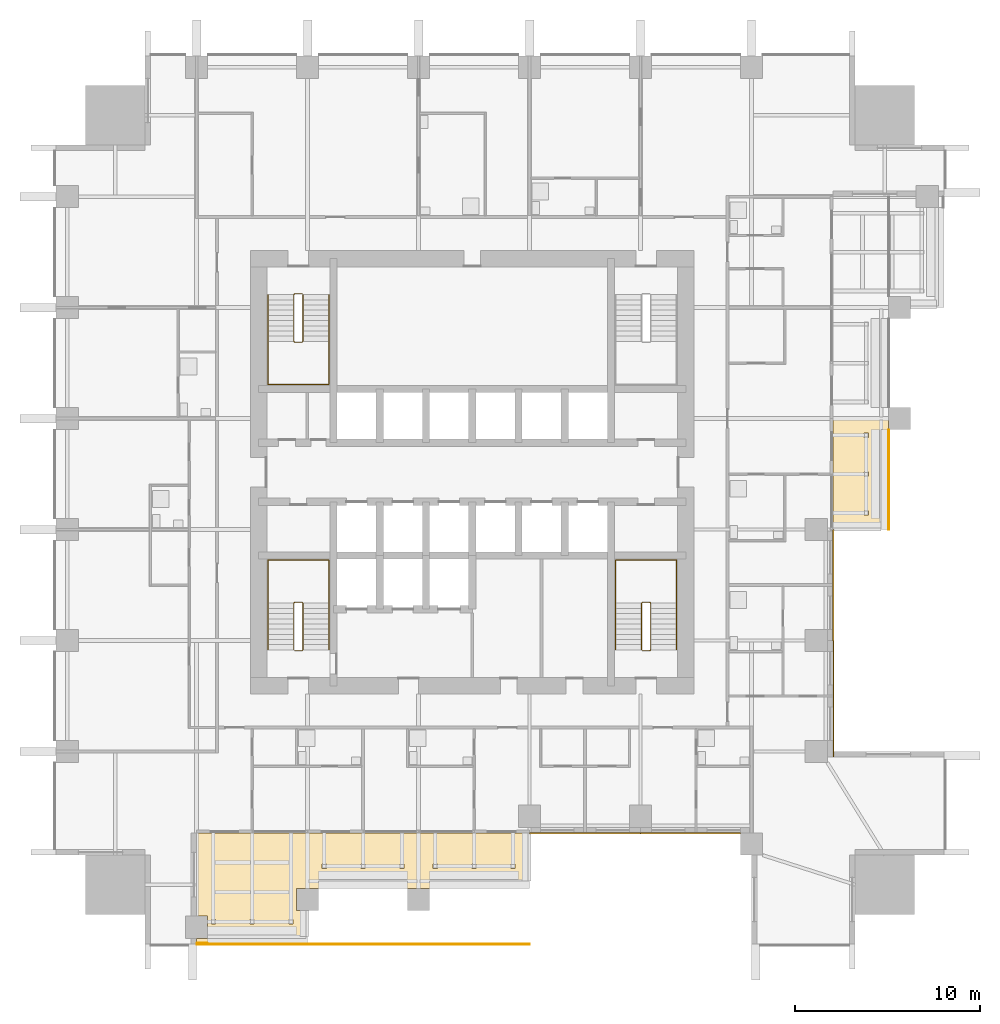
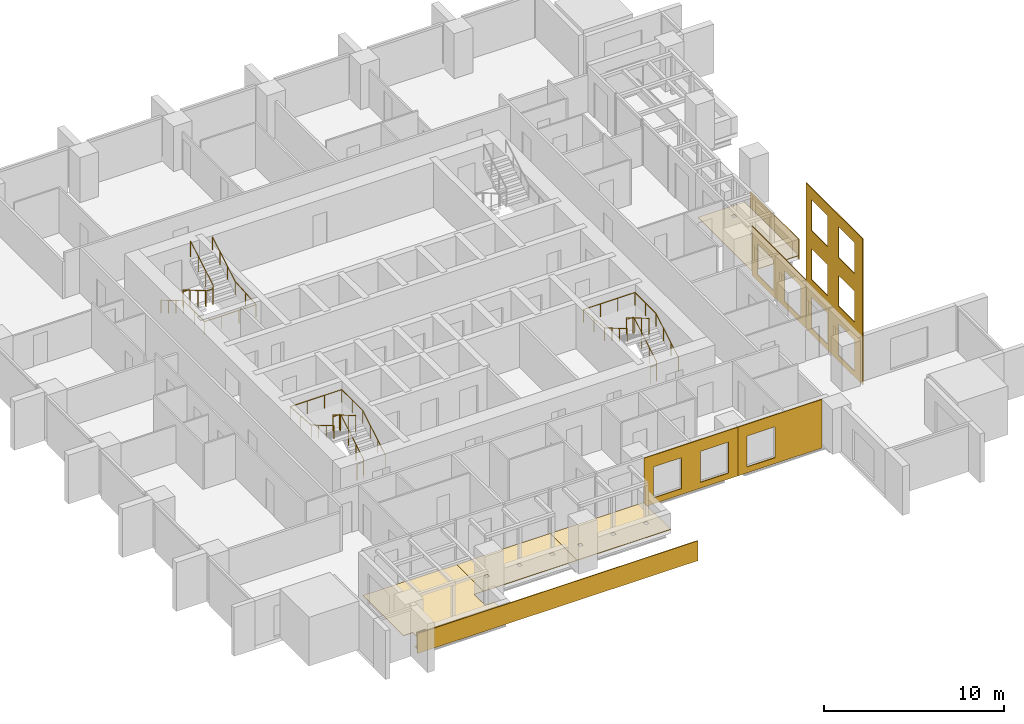
# One storey, part 13 of 15: 10 coverings, 7 railings.
"""IFC4 building model written with IfcOpenShell, lengths in metres."""

from ifc_helpers import new_model, si_unit, direction, frame, origin, origin_2d, place, context, subcontext, project, spatial, polyline, circle, outline, extrude, material, layer, layer_set, type_object, element, save


model = new_model("IFC4")

# Units and contexts
model_context = context("Model", 3, precision=1e-05, world=origin(), true_north=direction((0.0, 1.0)))
body_context = subcontext(model_context, "Body", "Model", "MODEL_VIEW")
ifc_project = project(units=[si_unit("LENGTHUNIT", "METRE"), si_unit("AREAUNIT", "SQUARE_METRE"), si_unit("VOLUMEUNIT", "CUBIC_METRE"), si_unit("PLANEANGLEUNIT", "RADIAN"), si_unit("MASSUNIT", "GRAM", prefix="KILO")], contexts=[model_context])

# Site, building, storey
site_placement = place(None, origin())
site = spatial("IfcSite", under=ifc_project, at=site_placement, CompositionType="ELEMENT")
building_placement = place(site_placement, origin())
building = spatial("IfcBuilding", under=site, at=building_placement, Name="Amberfall Residences", CompositionType="ELEMENT")
storey_placement = place(building_placement, frame((0.0, 0.0, 53.199951171875)))
storey = spatial("IfcBuildingStorey", under=building, at=storey_placement, Name="L14", CompositionType="ELEMENT", Elevation=53.199951171875)

# Coverings
ifc_material_1 = material(Name="Pale limestone cladding", Category="masonry")
ifc_layer_1 = layer(ifc_material_1, 0.050048828125)
ifc_layer_set_1 = layer_set([ifc_layer_1], Name="Limestone fascia 50")
covering_type_1 = type_object("IfcCoveringType", Name="Limestone fascia 50", PredefinedType="CLADDING", material=ifc_layer_set_1)
covering_1_placement = place(storey_placement, frame((0.0, 0.0, -0.25)))
element("IfcCovering", 1, at=covering_1_placement, inside=storey, type_object=covering_type_1, Name="Limestone terrace fascia L14 S1", PredefinedType="CLADDING", context=body_context, shape_type="SweptSolid", body=[
    extrude(outline(polyline([(59.60009765625, 20.0), (77.60009765625, 20.0), (77.60009765625, 19.949951171875), (59.60009765625, 19.949951171875), (59.60009765625, 20.0)])), origin(), (0.0, 0.0, 1.0), 1.35009765625),
])
covering_2_placement = place(storey_placement, frame((0.0, 0.0, -0.25)))
element("IfcCovering", 2, at=covering_2_placement, inside=storey, type_object=covering_type_1, Name="Limestone terrace fascia L14 E1", PredefinedType="CLADDING", context=body_context, shape_type="SweptSolid", body=[
    extrude(outline(polyline([(97.0, 42.39990234375), (97.0, 47.798095703125), (97.050048828125, 47.798095703125), (97.050048828125, 42.39990234375), (97.0, 42.39990234375)])), origin(), (0.0, 0.0, 1.0), 1.35009765625),
])
covering_3_placement = place(storey_placement, frame((94.0, 30.10009765625, 9.650146484375), z_axis=(-1.0, 0.0, 0.0), x_axis=(0.0, 1.0, 0.0)))
element("IfcCovering", 3, at=covering_3_placement, inside=storey, type_object=covering_type_1, Name="Pale limestone cladding L14-L16 E", PredefinedType="CLADDING", context=body_context, shape_type="SweptSolid", body=[
    extrude(outline(polyline([(0.0, 0.0), (6.2998046875, 0.0), (6.2998046875, 9.900146484375), (0.0, 9.900146484375), (0.0, 0.0)]), holes=[polyline([(0.89990234375, 7.400146484375), (2.699951171875, 7.400146484375), (2.699951171875, 9.5), (0.89990234375, 9.5), (0.89990234375, 7.400146484375)]), polyline([(3.89990234375, 7.400146484375), (5.699951171875, 7.400146484375), (5.699951171875, 9.5), (3.89990234375, 9.5), (3.89990234375, 7.400146484375)]), polyline([(0.89990234375, 4.10009765625), (2.699951171875, 4.10009765625), (2.699951171875, 6.2001953125), (0.89990234375, 6.2001953125), (0.89990234375, 4.10009765625)]), polyline([(3.89990234375, 4.10009765625), (5.699951171875, 4.10009765625), (5.699951171875, 6.2001953125), (3.89990234375, 6.2001953125), (3.89990234375, 4.10009765625)]), polyline([(0.89990234375, 0.800048828125), (2.699951171875, 0.800048828125), (2.699951171875, 2.900146484375), (0.89990234375, 2.900146484375), (0.89990234375, 0.800048828125)]), polyline([(3.89990234375, 0.800048828125), (5.699951171875, 0.800048828125), (5.699951171875, 2.900146484375), (3.89990234375, 2.900146484375), (3.89990234375, 0.800048828125)])]), origin(), (0.0, 0.0, -1.0), 0.050048828125),
])
covering_4_placement = place(storey_placement, frame((83.60009765625, 26.0, 3.050048828125), z_axis=(0.0, 1.0, 0.0), x_axis=(1.0, 0.0, 0.0)))
element("IfcCovering", 4, at=covering_4_placement, inside=storey, type_object=covering_type_1, Name="Pale limestone cladding L14 S", PredefinedType="CLADDING", context=body_context, shape_type="SweptSolid", body=[
    extrude(outline(polyline([(0.0, 0.0), (5.39794921875, 0.0), (5.39794921875, 3.300048828125), (0.0, 3.300048828125), (0.0, 0.0)]), holes=[polyline([(0.599853515625, 0.800048828125), (2.39990234375, 0.800048828125), (2.39990234375, 2.89990234375), (0.599853515625, 2.89990234375), (0.599853515625, 0.800048828125)])]), origin(), (0.0, 0.0, -1.0), 0.050048828125),
])
covering_5_placement = place(storey_placement, frame((77.60009765625, 26.0, 3.050048828125), z_axis=(0.0, 1.0, 0.0), x_axis=(1.0, 0.0, 0.0)))
element("IfcCovering", 5, at=covering_5_placement, inside=storey, type_object=covering_type_1, Name="Pale limestone cladding L14 S", PredefinedType="CLADDING", context=body_context, shape_type="SweptSolid", body=[
    extrude(outline(polyline([(0.0, 0.0), (6.0, 0.0), (6.0, 3.300048828125), (0.0, 3.300048828125), (0.0, 0.0)]), holes=[polyline([(0.599853515625, 0.800048828125), (2.39990234375, 0.800048828125), (2.39990234375, 2.89990234375), (0.599853515625, 2.89990234375), (0.599853515625, 0.800048828125)]), polyline([(3.599853515625, 0.800048828125), (5.39990234375, 0.800048828125), (5.39990234375, 2.89990234375), (3.599853515625, 2.89990234375), (3.599853515625, 0.800048828125)])]), origin(), (0.0, 0.0, -1.0), 0.050048828125),
])
covering_6_placement = place(storey_placement, frame((94.0, 36.39990234375, 3.050048828125), z_axis=(-1.0, 0.0, 0.0), x_axis=(0.0, 1.0, 0.0)))
element("IfcCovering", 6, at=covering_6_placement, inside=storey, type_object=covering_type_1, Name="Pale limestone cladding L14 E", PredefinedType="CLADDING", context=body_context, shape_type="SweptSolid", body=[
    extrude(outline(polyline([(0.0, 0.0), (6.0, 0.0), (6.0, 3.300048828125), (0.0, 3.300048828125), (0.0, 0.0)]), holes=[polyline([(0.60009765625, 0.800048828125), (2.400146484375, 0.800048828125), (2.400146484375, 2.89990234375), (0.60009765625, 2.89990234375), (0.60009765625, 0.800048828125)]), polyline([(3.60009765625, 0.800048828125), (5.400146484375, 0.800048828125), (5.400146484375, 2.89990234375), (3.60009765625, 2.89990234375), (3.60009765625, 0.800048828125)])]), origin(), (0.0, 0.0, -1.0), 0.050048828125),
])
ifc_material_2 = material(Name="Pale stone paving", Category="masonry")
ifc_layer_2 = layer(ifc_material_2, 0.030029296875)
ifc_layer_set_2 = layer_set([ifc_layer_2], Name="Pale stone paving 30")
covering_type_2 = type_object("IfcCoveringType", Name="Pale stone paving 30", PredefinedType="FLOORING", material=ifc_layer_set_2)
covering_7_placement = place(storey_placement, origin())
element("IfcCovering", 7, at=covering_7_placement, inside=storey, type_object=covering_type_2, Name="Pale stone paving L14 S1", PredefinedType="FLOORING", context=body_context, shape_type="SweptSolid", body=[
    extrude(outline(polyline([(65.60009765625, 20.0), (65.60009765625, 21.800048828125), (65.0, 21.800048828125), (65.0, 23.0), (65.60009765625, 23.0), (65.60009765625, 26.0), (59.60009765625, 26.0), (59.60009765625, 21.5), (60.199951171875, 21.5), (60.199951171875, 20.300048828125), (59.60009765625, 20.300048828125), (59.60009765625, 20.0), (65.60009765625, 20.0)]), holes=[polyline([(60.389892578125, 21.090087890625), (60.610107421875, 21.090087890625), (60.610107421875, 21.31005859375), (60.389892578125, 21.31005859375), (60.389892578125, 21.090087890625)]), polyline([(62.489990234375, 21.090087890625), (62.7099609375, 21.090087890625), (62.7099609375, 21.31005859375), (62.489990234375, 21.31005859375), (62.489990234375, 21.090087890625)]), polyline([(64.590087890625, 21.090087890625), (64.81005859375, 21.090087890625), (64.81005859375, 21.31005859375), (64.590087890625, 21.31005859375), (64.590087890625, 21.090087890625)])]), origin(), (0.0, 0.0, 1.0), 0.030029296875),
])
covering_8_placement = place(storey_placement, origin())
element("IfcCovering", 8, at=covering_8_placement, inside=storey, type_object=covering_type_2, Name="Pale stone paving L14 S2", PredefinedType="FLOORING", context=body_context, shape_type="SweptSolid", body=[
    extrude(outline(polyline([(71.60009765625, 26.0), (65.60009765625, 26.0), (65.60009765625, 23.0), (66.199951171875, 23.0), (71.0, 23.0), (71.60009765625, 23.0), (71.60009765625, 26.0)]), holes=[polyline([(66.389892578125, 24.090087890625), (66.610107421875, 24.090087890625), (66.610107421875, 24.31005859375), (66.389892578125, 24.31005859375), (66.389892578125, 24.090087890625)]), polyline([(68.489990234375, 24.090087890625), (68.7099609375, 24.090087890625), (68.7099609375, 24.31005859375), (68.489990234375, 24.31005859375), (68.489990234375, 24.090087890625)]), polyline([(70.590087890625, 24.090087890625), (70.81005859375, 24.090087890625), (70.81005859375, 24.31005859375), (70.590087890625, 24.31005859375), (70.590087890625, 24.090087890625)])]), origin(), (0.0, 0.0, 1.0), 0.030029296875),
])
covering_9_placement = place(storey_placement, origin())
element("IfcCovering", 9, at=covering_9_placement, inside=storey, type_object=covering_type_2, Name="Pale stone paving L14 S3", PredefinedType="FLOORING", context=body_context, shape_type="SweptSolid", body=[
    extrude(outline(polyline([(77.60009765625, 26.0), (71.60009765625, 26.0), (71.60009765625, 23.0), (72.199951171875, 23.0), (77.60009765625, 23.0), (77.60009765625, 26.0)]), holes=[polyline([(72.389892578125, 24.090087890625), (72.610107421875, 24.090087890625), (72.610107421875, 24.31005859375), (72.389892578125, 24.31005859375), (72.389892578125, 24.090087890625)]), polyline([(74.489990234375, 24.090087890625), (74.7099609375, 24.090087890625), (74.7099609375, 24.31005859375), (74.489990234375, 24.31005859375), (74.489990234375, 24.090087890625)]), polyline([(76.590087890625, 24.090087890625), (76.81005859375, 24.090087890625), (76.81005859375, 24.31005859375), (76.590087890625, 24.31005859375), (76.590087890625, 24.090087890625)])]), origin(), (0.0, 0.0, 1.0), 0.030029296875),
])
covering_10_placement = place(storey_placement, origin())
element("IfcCovering", 10, at=covering_10_placement, inside=storey, type_object=covering_type_2, Name="Pale stone paving L14 E3", PredefinedType="FLOORING", context=body_context, shape_type="SweptSolid", body=[
    extrude(outline(polyline([(94.0, 48.39990234375), (94.0, 42.39990234375), (97.0, 42.39990234375), (97.0, 47.800048828125), (97.0, 48.39990234375), (94.0, 48.39990234375)]), holes=[polyline([(95.68994140625, 43.18994140625), (95.909912109375, 43.18994140625), (95.909912109375, 43.409912109375), (95.68994140625, 43.409912109375), (95.68994140625, 43.18994140625)]), polyline([(95.68994140625, 45.2900390625), (95.909912109375, 45.2900390625), (95.909912109375, 45.510009765625), (95.68994140625, 45.510009765625), (95.68994140625, 45.2900390625)]), polyline([(95.68994140625, 47.389892578125), (95.909912109375, 47.389892578125), (95.909912109375, 47.610107421875), (95.68994140625, 47.610107421875), (95.68994140625, 47.389892578125)])]), origin(), (0.0, 0.0, 1.0), 0.030029296875),
])

# Railings
ifc_material_3 = material(Name="Stainless steel 316", Category="steel")
railing_type_1 = type_object("IfcRailingType", Name="Stair guard 1100", PredefinedType="GUARDRAIL", material=ifc_material_3)
railing_1_placement = place(storey_placement, frame((64.89990234375, 35.85009765625, 0.0)))
element("IfcRailing", 11, at=railing_1_placement, inside=storey, type_object=railing_type_1, Name="L14 stair 1 guard", PredefinedType="GUARDRAIL", context=body_context, shape_type="SweptSolid", body=[
    extrude(circle(Radius=0.02392578125, at=origin_2d()), frame((0.0, 0.0, 1.076171875), z_axis=(1.0, 0.0, 0.0), x_axis=(0.0, 1.0, 0.0)), (0.0, 0.0, 1.0), 0.400146484375),
    extrude(circle(Radius=0.02392578125, at=origin_2d()), frame((0.400146484375, 0.0, 1.076171875), z_axis=(0.278810427259, 0.277450376394, 0.919394384522), x_axis=(-0.705375805398, 0.708833529934, 0.0)), (0.0, 0.0, 1.0), 0.179443359375),
    extrude(circle(Radius=0.02392578125, at=origin_2d()), frame((0.4501953125, 0.0498046875, 1.2412109375), z_axis=(0.0, 0.86152411907, 0.507716645641), x_axis=(-1.0, 0.0, 0.0)), (0.0, 0.0, 1.0), 2.925048828125),
    extrude(circle(Radius=0.02392578125, at=origin_2d()), frame((0.4501953125, 2.56982421875, 2.72607421875), z_axis=(-0.707106781187, 0.707106781187, 0.0), x_axis=(-0.707106781187, -0.707106781187, 0.0)), (0.0, 0.0, 1.0), 0.07080078125),
    extrude(circle(Radius=0.02392578125, at=origin_2d()), frame((0.400146484375, 2.619873046875, 2.72607421875), z_axis=(-1.0, 0.0, 0.0), x_axis=(0.0, -1.0, 0.0)), (0.0, 0.0, 1.0), 0.400146484375),
    extrude(circle(Radius=0.02392578125, at=origin_2d()), frame((0.0, 2.619873046875, 2.72607421875), z_axis=(-0.277797701265, -0.279159454702, 0.919183570361), x_axis=(0.708833529934, -0.705375805398, 0.0)), (0.0, 0.0, 1.0), 0.17919921875),
    extrude(circle(Radius=0.02392578125, at=origin_2d()), frame((-0.0498046875, 2.56982421875, 2.89111328125), z_axis=(0.0, -0.86152411907, 0.507716645641), x_axis=(1.0, 0.0, 0.0)), (0.0, 0.0, 1.0), 2.925048828125),
    extrude(circle(Radius=0.02099609375, at=origin_2d()), origin(), (0.0, 0.0, 1.0), 1.052001953125),
    extrude(circle(Radius=0.02099609375, at=origin_2d()), frame((0.400146484375, 0.0, 0.0)), (0.0, 0.0, 1.0), 1.052001953125),
    extrude(circle(Radius=0.02099609375, at=origin_2d()), frame((0.4501953125, 0.0498046875, 0.1650390625)), (0.0, 0.0, 1.0), 1.052001953125),
    extrude(circle(Radius=0.02099609375, at=origin_2d()), frame((0.4501953125, 0.889892578125, 0.66015625)), (0.0, 0.0, 1.0), 1.052001953125),
    extrude(circle(Radius=0.02099609375, at=origin_2d()), frame((0.4501953125, 1.729736328125, 1.155029296875)), (0.0, 0.0, 1.0), 1.052001953125),
    extrude(circle(Radius=0.02099609375, at=origin_2d()), frame((0.4501953125, 2.56982421875, 1.650146484375)), (0.0, 0.0, 1.0), 1.052001953125),
    extrude(circle(Radius=0.02099609375, at=origin_2d()), frame((0.400146484375, 2.619873046875, 1.650146484375)), (0.0, 0.0, 1.0), 1.052001953125),
    extrude(circle(Radius=0.02099609375, at=origin_2d()), frame((0.0, 2.619873046875, 1.650146484375)), (0.0, 0.0, 1.0), 1.052001953125),
    extrude(circle(Radius=0.02099609375, at=origin_2d()), frame((-0.0498046875, 2.56982421875, 1.81494140625)), (0.0, 0.0, 1.0), 1.052001953125),
    extrude(circle(Radius=0.02099609375, at=origin_2d()), frame((-0.0498046875, 1.729736328125, 2.31005859375)), (0.0, 0.0, 1.0), 1.052001953125),
    extrude(circle(Radius=0.02099609375, at=origin_2d()), frame((-0.0498046875, 0.889892578125, 2.804931640625)), (0.0, 0.0, 1.0), 1.052001953125),
    extrude(circle(Radius=0.02099609375, at=origin_2d()), frame((-0.0498046875, 0.0498046875, 3.300048828125)), (0.0, 0.0, 1.0), 1.052001953125),
])
railing_2_placement = place(storey_placement, frame((83.699951171875, 35.85009765625, 0.0)))
element("IfcRailing", 12, at=railing_2_placement, inside=storey, type_object=railing_type_1, Name="L14 stair 2 guard", PredefinedType="GUARDRAIL", context=body_context, shape_type="SweptSolid", body=[
    extrude(circle(Radius=0.02392578125, at=origin_2d()), frame((0.0, 0.0, 1.076171875), z_axis=(1.0, 0.0, 0.0), x_axis=(0.0, 1.0, 0.0)), (0.0, 0.0, 1.0), 0.400146484375),
    extrude(circle(Radius=0.02392578125, at=origin_2d()), frame((0.400146484375, 0.0, 1.076171875), z_axis=(0.27755538755, 0.27755538755, 0.919742362667), x_axis=(-0.707106781187, 0.707106781187, 0.0)), (0.0, 0.0, 1.0), 0.179443359375),
    extrude(circle(Radius=0.02392578125, at=origin_2d()), frame((0.449951171875, 0.0498046875, 1.2412109375), z_axis=(0.0, 0.86152411907, 0.507716645641), x_axis=(-1.0, 0.0, 0.0)), (0.0, 0.0, 1.0), 2.925048828125),
    extrude(circle(Radius=0.02392578125, at=origin_2d()), frame((0.449951171875, 2.56982421875, 2.72607421875), z_axis=(-0.705375805398, 0.708833529934, 0.0), x_axis=(-0.708833529934, -0.705375805398, 0.0)), (0.0, 0.0, 1.0), 0.070556640625),
    extrude(circle(Radius=0.02392578125, at=origin_2d()), frame((0.400146484375, 2.619873046875, 2.72607421875), z_axis=(-1.0, 0.0, 0.0), x_axis=(0.0, -1.0, 0.0)), (0.0, 0.0, 1.0), 0.400146484375),
    extrude(circle(Radius=0.02392578125, at=origin_2d()), frame((0.0, 2.619873046875, 2.72607421875), z_axis=(-0.279053652268, -0.279053652268, 0.918835196492), x_axis=(0.707106781187, -0.707106781187, 0.0)), (0.0, 0.0, 1.0), 0.179443359375),
    extrude(circle(Radius=0.02392578125, at=origin_2d()), frame((-0.050048828125, 2.56982421875, 2.89111328125), z_axis=(0.0, -0.86152411907, 0.507716645641), x_axis=(1.0, 0.0, 0.0)), (0.0, 0.0, 1.0), 2.925048828125),
    extrude(circle(Radius=0.02099609375, at=origin_2d()), origin(), (0.0, 0.0, 1.0), 1.052001953125),
    extrude(circle(Radius=0.02099609375, at=origin_2d()), frame((0.400146484375, 0.0, 0.0)), (0.0, 0.0, 1.0), 1.052001953125),
    extrude(circle(Radius=0.02099609375, at=origin_2d()), frame((0.449951171875, 0.0498046875, 0.1650390625)), (0.0, 0.0, 1.0), 1.052001953125),
    extrude(circle(Radius=0.02099609375, at=origin_2d()), frame((0.449951171875, 0.889892578125, 0.66015625)), (0.0, 0.0, 1.0), 1.052001953125),
    extrude(circle(Radius=0.02099609375, at=origin_2d()), frame((0.449951171875, 1.729736328125, 1.155029296875)), (0.0, 0.0, 1.0), 1.052001953125),
    extrude(circle(Radius=0.02099609375, at=origin_2d()), frame((0.449951171875, 2.56982421875, 1.650146484375)), (0.0, 0.0, 1.0), 1.052001953125),
    extrude(circle(Radius=0.02099609375, at=origin_2d()), frame((0.400146484375, 2.619873046875, 1.650146484375)), (0.0, 0.0, 1.0), 1.052001953125),
    extrude(circle(Radius=0.02099609375, at=origin_2d()), frame((0.0, 2.619873046875, 1.650146484375)), (0.0, 0.0, 1.0), 1.052001953125),
    extrude(circle(Radius=0.02099609375, at=origin_2d()), frame((-0.050048828125, 2.56982421875, 1.81494140625)), (0.0, 0.0, 1.0), 1.052001953125),
    extrude(circle(Radius=0.02099609375, at=origin_2d()), frame((-0.050048828125, 1.729736328125, 2.31005859375)), (0.0, 0.0, 1.0), 1.052001953125),
    extrude(circle(Radius=0.02099609375, at=origin_2d()), frame((-0.050048828125, 0.889892578125, 2.804931640625)), (0.0, 0.0, 1.0), 1.052001953125),
    extrude(circle(Radius=0.02099609375, at=origin_2d()), frame((-0.050048828125, 0.0498046875, 3.300048828125)), (0.0, 0.0, 1.0), 1.052001953125),
])
railing_3_placement = place(storey_placement, frame((65.300048828125, 55.14990234375, 0.0)))
element("IfcRailing", 13, at=railing_3_placement, inside=storey, type_object=railing_type_1, Name="L14 stair 4 guard", PredefinedType="GUARDRAIL", context=body_context, shape_type="SweptSolid", body=[
    extrude(circle(Radius=0.02392578125, at=origin_2d()), frame((0.0, 0.0, 1.076171875), z_axis=(-1.0, 0.0, 0.0), x_axis=(0.0, -1.0, 0.0)), (0.0, 0.0, 1.0), 0.400146484375),
    extrude(circle(Radius=0.02392578125, at=origin_2d()), frame((-0.400146484375, 0.0, 1.076171875), z_axis=(-0.27755538755, -0.27755538755, 0.919742362667), x_axis=(0.707106781187, -0.707106781187, 0.0)), (0.0, 0.0, 1.0), 0.179443359375),
    extrude(circle(Radius=0.02392578125, at=origin_2d()), frame((-0.449951171875, -0.0498046875, 1.2412109375), z_axis=(0.0, -0.86152411907, 0.507716645641), x_axis=(1.0, 0.0, 0.0)), (0.0, 0.0, 1.0), 2.925048828125),
    extrude(circle(Radius=0.02392578125, at=origin_2d()), frame((-0.449951171875, -2.56982421875, 2.72607421875), z_axis=(0.705375805398, -0.708833529934, 0.0), x_axis=(0.708833529934, 0.705375805398, 0.0)), (0.0, 0.0, 1.0), 0.070556640625),
    extrude(circle(Radius=0.02392578125, at=origin_2d()), frame((-0.400146484375, -2.619873046875, 2.72607421875), z_axis=(1.0, 0.0, 0.0), x_axis=(0.0, 1.0, 0.0)), (0.0, 0.0, 1.0), 0.400146484375),
    extrude(circle(Radius=0.02392578125, at=origin_2d()), frame((0.0, -2.619873046875, 2.72607421875), z_axis=(0.279053652268, 0.279053652268, 0.918835196492), x_axis=(-0.707106781187, 0.707106781187, 0.0)), (0.0, 0.0, 1.0), 0.179443359375),
    extrude(circle(Radius=0.02392578125, at=origin_2d()), frame((0.050048828125, -2.56982421875, 2.89111328125), z_axis=(0.0, 0.86152411907, 0.507716645641), x_axis=(-1.0, 0.0, 0.0)), (0.0, 0.0, 1.0), 2.925048828125),
    extrude(circle(Radius=0.02099609375, at=origin_2d()), origin(), (0.0, 0.0, 1.0), 1.052001953125),
    extrude(circle(Radius=0.02099609375, at=origin_2d()), frame((-0.400146484375, 0.0, 0.0)), (0.0, 0.0, 1.0), 1.052001953125),
    extrude(circle(Radius=0.02099609375, at=origin_2d()), frame((-0.449951171875, -0.0498046875, 0.1650390625)), (0.0, 0.0, 1.0), 1.052001953125),
    extrude(circle(Radius=0.02099609375, at=origin_2d()), frame((-0.449951171875, -0.889892578125, 0.66015625)), (0.0, 0.0, 1.0), 1.052001953125),
    extrude(circle(Radius=0.02099609375, at=origin_2d()), frame((-0.449951171875, -1.729736328125, 1.155029296875)), (0.0, 0.0, 1.0), 1.052001953125),
    extrude(circle(Radius=0.02099609375, at=origin_2d()), frame((-0.449951171875, -2.56982421875, 1.650146484375)), (0.0, 0.0, 1.0), 1.052001953125),
    extrude(circle(Radius=0.02099609375, at=origin_2d()), frame((-0.400146484375, -2.619873046875, 1.650146484375)), (0.0, 0.0, 1.0), 1.052001953125),
    extrude(circle(Radius=0.02099609375, at=origin_2d()), frame((0.0, -2.619873046875, 1.650146484375)), (0.0, 0.0, 1.0), 1.052001953125),
    extrude(circle(Radius=0.02099609375, at=origin_2d()), frame((0.050048828125, -2.56982421875, 1.81494140625)), (0.0, 0.0, 1.0), 1.052001953125),
    extrude(circle(Radius=0.02099609375, at=origin_2d()), frame((0.050048828125, -1.729736328125, 2.31005859375)), (0.0, 0.0, 1.0), 1.052001953125),
    extrude(circle(Radius=0.02099609375, at=origin_2d()), frame((0.050048828125, -0.889892578125, 2.804931640625)), (0.0, 0.0, 1.0), 1.052001953125),
    extrude(circle(Radius=0.02099609375, at=origin_2d()), frame((0.050048828125, -0.0498046875, 3.300048828125)), (0.0, 0.0, 1.0), 1.052001953125),
])
railing_type_2 = type_object("IfcRailingType", Name="Stair handrail 900", PredefinedType="HANDRAIL", material=ifc_material_3)
railing_4_placement = place(storey_placement, frame((66.75, 35.89990234375, 0.1650390625)))
element("IfcRailing", 14, at=railing_4_placement, inside=storey, type_object=railing_type_2, Name="L14 stair 1 handrail", PredefinedType="HANDRAIL", context=body_context, shape_type="SweptSolid", body=[
    extrude(circle(Radius=0.02392578125, at=origin_2d()), frame((0.0, 0.0, 0.8759765625), z_axis=(0.0, 0.86152411907, 0.507716645641), x_axis=(-1.0, 0.0, 0.0)), (0.0, 0.0, 1.0), 2.925048828125),
    extrude(circle(Radius=0.02392578125, at=origin_2d()), frame((0.0, 2.52001953125, 2.36083984375), z_axis=(0.0, 1.0, 0.0), x_axis=(-1.0, 0.0, 0.0)), (0.0, 0.0, 1.0), 2.330078125),
    extrude(circle(Radius=0.02392578125, at=origin_2d()), frame((0.0, 4.85009765625, 2.36083984375), z_axis=(-1.0, 0.0, 0.0), x_axis=(0.0, -1.0, 0.0)), (0.0, 0.0, 1.0), 3.300048828125),
    extrude(circle(Radius=0.02392578125, at=origin_2d()), frame((-3.300048828125, 4.85009765625, 2.36083984375), z_axis=(0.0, -0.997508326432, 0.070548839097), x_axis=(1.0, 0.0, 0.0)), (0.0, 0.0, 1.0), 2.3359375),
    extrude(circle(Radius=0.02392578125, at=origin_2d()), frame((-3.300048828125, 2.52001953125, 2.52587890625), z_axis=(0.0, -0.86152411907, 0.507716645641), x_axis=(1.0, 0.0, 0.0)), (0.0, 0.0, 1.0), 2.925048828125),
    extrude(circle(Radius=0.02099609375, at=origin_2d()), origin(), (0.0, 0.0, 1.0), 0.851806640625),
    extrude(circle(Radius=0.02099609375, at=origin_2d()), frame((0.0, 0.840087890625, 0.4951171875)), (0.0, 0.0, 1.0), 0.851806640625),
    extrude(circle(Radius=0.02099609375, at=origin_2d()), frame((0.0, 1.679931640625, 0.989990234375)), (0.0, 0.0, 1.0), 0.851806640625),
    extrude(circle(Radius=0.02099609375, at=origin_2d()), frame((0.0, 2.52001953125, 1.485107421875)), (0.0, 0.0, 1.0), 0.851806640625),
    extrude(circle(Radius=0.02099609375, at=origin_2d()), frame((0.0, 3.68505859375, 1.485107421875)), (0.0, 0.0, 1.0), 0.851806640625),
    extrude(circle(Radius=0.02099609375, at=origin_2d()), frame((0.0, 4.85009765625, 1.485107421875)), (0.0, 0.0, 1.0), 0.851806640625),
    extrude(circle(Radius=0.02099609375, at=origin_2d()), frame((-1.10009765625, 4.85009765625, 1.485107421875)), (0.0, 0.0, 1.0), 0.851806640625),
    extrude(circle(Radius=0.02099609375, at=origin_2d()), frame((-2.199951171875, 4.85009765625, 1.485107421875)), (0.0, 0.0, 1.0), 0.851806640625),
    extrude(circle(Radius=0.02099609375, at=origin_2d()), frame((-3.300048828125, 4.85009765625, 1.485107421875)), (0.0, 0.0, 1.0), 0.851806640625),
    extrude(circle(Radius=0.02099609375, at=origin_2d()), frame((-3.300048828125, 3.68505859375, 1.5673828125)), (0.0, 0.0, 1.0), 0.851806640625),
    extrude(circle(Radius=0.02099609375, at=origin_2d()), frame((-3.300048828125, 2.52001953125, 1.64990234375)), (0.0, 0.0, 1.0), 0.851806640625),
    extrude(circle(Radius=0.02099609375, at=origin_2d()), frame((-3.300048828125, 1.679931640625, 2.14501953125)), (0.0, 0.0, 1.0), 0.851806640625),
    extrude(circle(Radius=0.02099609375, at=origin_2d()), frame((-3.300048828125, 0.840087890625, 2.639892578125)), (0.0, 0.0, 1.0), 0.851806640625),
    extrude(circle(Radius=0.02099609375, at=origin_2d()), frame((-3.300048828125, 0.0, 3.135009765625)), (0.0, 0.0, 1.0), 0.851806640625),
])
railing_5_placement = place(storey_placement, frame((85.550048828125, 35.89990234375, 0.1650390625)))
element("IfcRailing", 15, at=railing_5_placement, inside=storey, type_object=railing_type_2, Name="L14 stair 2 handrail", PredefinedType="HANDRAIL", context=body_context, shape_type="SweptSolid", body=[
    extrude(circle(Radius=0.02392578125, at=origin_2d()), frame((0.0, 0.0, 0.8759765625), z_axis=(0.0, 0.86152411907, 0.507716645641), x_axis=(-1.0, 0.0, 0.0)), (0.0, 0.0, 1.0), 2.925048828125),
    extrude(circle(Radius=0.02392578125, at=origin_2d()), frame((0.0, 2.52001953125, 2.36083984375), z_axis=(0.0, 1.0, 0.0), x_axis=(-1.0, 0.0, 0.0)), (0.0, 0.0, 1.0), 2.330078125),
    extrude(circle(Radius=0.02392578125, at=origin_2d()), frame((0.0, 4.85009765625, 2.36083984375), z_axis=(-1.0, 0.0, 0.0), x_axis=(0.0, -1.0, 0.0)), (0.0, 0.0, 1.0), 3.300048828125),
    extrude(circle(Radius=0.02392578125, at=origin_2d()), frame((-3.300048828125, 4.85009765625, 2.36083984375), z_axis=(0.0, -0.997508326432, 0.070548839097), x_axis=(1.0, 0.0, 0.0)), (0.0, 0.0, 1.0), 2.3359375),
    extrude(circle(Radius=0.02392578125, at=origin_2d()), frame((-3.300048828125, 2.52001953125, 2.52587890625), z_axis=(0.0, -0.86152411907, 0.507716645641), x_axis=(1.0, 0.0, 0.0)), (0.0, 0.0, 1.0), 2.925048828125),
    extrude(circle(Radius=0.02099609375, at=origin_2d()), origin(), (0.0, 0.0, 1.0), 0.851806640625),
    extrude(circle(Radius=0.02099609375, at=origin_2d()), frame((0.0, 0.840087890625, 0.4951171875)), (0.0, 0.0, 1.0), 0.851806640625),
    extrude(circle(Radius=0.02099609375, at=origin_2d()), frame((0.0, 1.679931640625, 0.989990234375)), (0.0, 0.0, 1.0), 0.851806640625),
    extrude(circle(Radius=0.02099609375, at=origin_2d()), frame((0.0, 2.52001953125, 1.485107421875)), (0.0, 0.0, 1.0), 0.851806640625),
    extrude(circle(Radius=0.02099609375, at=origin_2d()), frame((0.0, 3.68505859375, 1.485107421875)), (0.0, 0.0, 1.0), 0.851806640625),
    extrude(circle(Radius=0.02099609375, at=origin_2d()), frame((0.0, 4.85009765625, 1.485107421875)), (0.0, 0.0, 1.0), 0.851806640625),
    extrude(circle(Radius=0.02099609375, at=origin_2d()), frame((-1.10009765625, 4.85009765625, 1.485107421875)), (0.0, 0.0, 1.0), 0.851806640625),
    extrude(circle(Radius=0.02099609375, at=origin_2d()), frame((-2.199951171875, 4.85009765625, 1.485107421875)), (0.0, 0.0, 1.0), 0.851806640625),
    extrude(circle(Radius=0.02099609375, at=origin_2d()), frame((-3.300048828125, 4.85009765625, 1.485107421875)), (0.0, 0.0, 1.0), 0.851806640625),
    extrude(circle(Radius=0.02099609375, at=origin_2d()), frame((-3.300048828125, 3.68505859375, 1.5673828125)), (0.0, 0.0, 1.0), 0.851806640625),
    extrude(circle(Radius=0.02099609375, at=origin_2d()), frame((-3.300048828125, 2.52001953125, 1.64990234375)), (0.0, 0.0, 1.0), 0.851806640625),
    extrude(circle(Radius=0.02099609375, at=origin_2d()), frame((-3.300048828125, 1.679931640625, 2.14501953125)), (0.0, 0.0, 1.0), 0.851806640625),
    extrude(circle(Radius=0.02099609375, at=origin_2d()), frame((-3.300048828125, 0.840087890625, 2.639892578125)), (0.0, 0.0, 1.0), 0.851806640625),
    extrude(circle(Radius=0.02099609375, at=origin_2d()), frame((-3.300048828125, 0.0, 3.135009765625)), (0.0, 0.0, 1.0), 0.851806640625),
])
railing_6_placement = place(storey_placement, frame((63.449951171875, 55.10009765625, 0.1650390625)))
element("IfcRailing", 16, at=railing_6_placement, inside=storey, type_object=railing_type_2, Name="L14 stair 4 handrail", PredefinedType="HANDRAIL", context=body_context, shape_type="SweptSolid", body=[
    extrude(circle(Radius=0.02392578125, at=origin_2d()), frame((0.0, 0.0, 0.8759765625), z_axis=(0.0, -0.86152411907, 0.507716645641), x_axis=(1.0, 0.0, 0.0)), (0.0, 0.0, 1.0), 2.925048828125),
    extrude(circle(Radius=0.02392578125, at=origin_2d()), frame((0.0, -2.52001953125, 2.36083984375), z_axis=(0.0, -1.0, 0.0), x_axis=(1.0, 0.0, 0.0)), (0.0, 0.0, 1.0), 2.330078125),
    extrude(circle(Radius=0.02392578125, at=origin_2d()), frame((0.0, -4.85009765625, 2.36083984375), z_axis=(1.0, 0.0, 0.0), x_axis=(0.0, 1.0, 0.0)), (0.0, 0.0, 1.0), 3.300048828125),
    extrude(circle(Radius=0.02392578125, at=origin_2d()), frame((3.300048828125, -4.85009765625, 2.36083984375), z_axis=(0.0, 0.997508326432, 0.070548839097), x_axis=(-1.0, 0.0, 0.0)), (0.0, 0.0, 1.0), 2.3359375),
    extrude(circle(Radius=0.02392578125, at=origin_2d()), frame((3.300048828125, -2.52001953125, 2.52587890625), z_axis=(0.0, 0.86152411907, 0.507716645641), x_axis=(-1.0, 0.0, 0.0)), (0.0, 0.0, 1.0), 2.925048828125),
    extrude(circle(Radius=0.02099609375, at=origin_2d()), origin(), (0.0, 0.0, 1.0), 0.851806640625),
    extrude(circle(Radius=0.02099609375, at=origin_2d()), frame((0.0, -0.840087890625, 0.4951171875)), (0.0, 0.0, 1.0), 0.851806640625),
    extrude(circle(Radius=0.02099609375, at=origin_2d()), frame((0.0, -1.679931640625, 0.989990234375)), (0.0, 0.0, 1.0), 0.851806640625),
    extrude(circle(Radius=0.02099609375, at=origin_2d()), frame((0.0, -2.52001953125, 1.485107421875)), (0.0, 0.0, 1.0), 0.851806640625),
    extrude(circle(Radius=0.02099609375, at=origin_2d()), frame((0.0, -3.68505859375, 1.485107421875)), (0.0, 0.0, 1.0), 0.851806640625),
    extrude(circle(Radius=0.02099609375, at=origin_2d()), frame((0.0, -4.85009765625, 1.485107421875)), (0.0, 0.0, 1.0), 0.851806640625),
    extrude(circle(Radius=0.02099609375, at=origin_2d()), frame((1.10009765625, -4.85009765625, 1.485107421875)), (0.0, 0.0, 1.0), 0.851806640625),
    extrude(circle(Radius=0.02099609375, at=origin_2d()), frame((2.199951171875, -4.85009765625, 1.485107421875)), (0.0, 0.0, 1.0), 0.851806640625),
    extrude(circle(Radius=0.02099609375, at=origin_2d()), frame((3.300048828125, -4.85009765625, 1.485107421875)), (0.0, 0.0, 1.0), 0.851806640625),
    extrude(circle(Radius=0.02099609375, at=origin_2d()), frame((3.300048828125, -3.68505859375, 1.5673828125)), (0.0, 0.0, 1.0), 0.851806640625),
    extrude(circle(Radius=0.02099609375, at=origin_2d()), frame((3.300048828125, -2.52001953125, 1.64990234375)), (0.0, 0.0, 1.0), 0.851806640625),
    extrude(circle(Radius=0.02099609375, at=origin_2d()), frame((3.300048828125, -1.679931640625, 2.14501953125)), (0.0, 0.0, 1.0), 0.851806640625),
    extrude(circle(Radius=0.02099609375, at=origin_2d()), frame((3.300048828125, -0.840087890625, 2.639892578125)), (0.0, 0.0, 1.0), 0.851806640625),
    extrude(circle(Radius=0.02099609375, at=origin_2d()), frame((3.300048828125, 0.0, 3.135009765625)), (0.0, 0.0, 1.0), 0.851806640625),
])
ifc_material_4 = material(Name="Bronze anodised aluminium and laminated glass", Category="aluminium")
railing_type_3 = type_object("IfcRailingType", Name="Terrace edge guard 1100", PredefinedType="GUARDRAIL", material=ifc_material_4)
railing_7_placement = place(storey_placement, frame((59.63134765625, 20.0322265625, 0.030029296875)))
element("IfcRailing", 17, at=railing_7_placement, inside=storey, type_object=railing_type_3, Name="Terrace guard L14 S1", PredefinedType="GUARDRAIL", context=body_context, shape_type="SweptSolid", body=[
    extrude(circle(Radius=0.02392578125, at=origin_2d()), frame((0.0, 0.0, 1.076171875), z_axis=(0.999894327731, 0.014537309626, 0.0), x_axis=(-0.014537309626, 0.999894327731, 0.0)), (0.0, 0.0, 1.0), 0.537353515625),
    extrude(circle(Radius=0.02099609375, at=origin_2d()), origin(), (0.0, 0.0, 1.0), 1.052001953125),
    extrude(circle(Radius=0.02099609375, at=origin_2d()), frame((0.537353515625, 0.0078125, 0.0)), (0.0, 0.0, 1.0), 1.052001953125),
])

save(model, "model.ifc")
